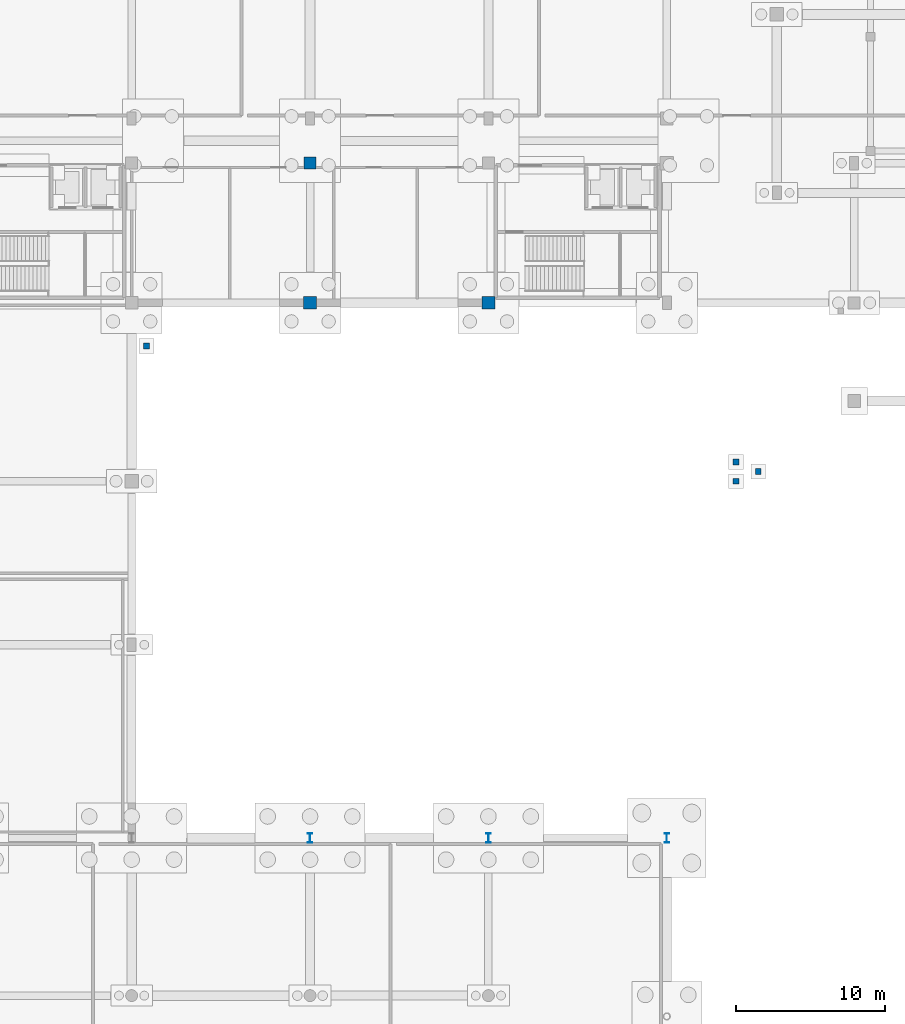
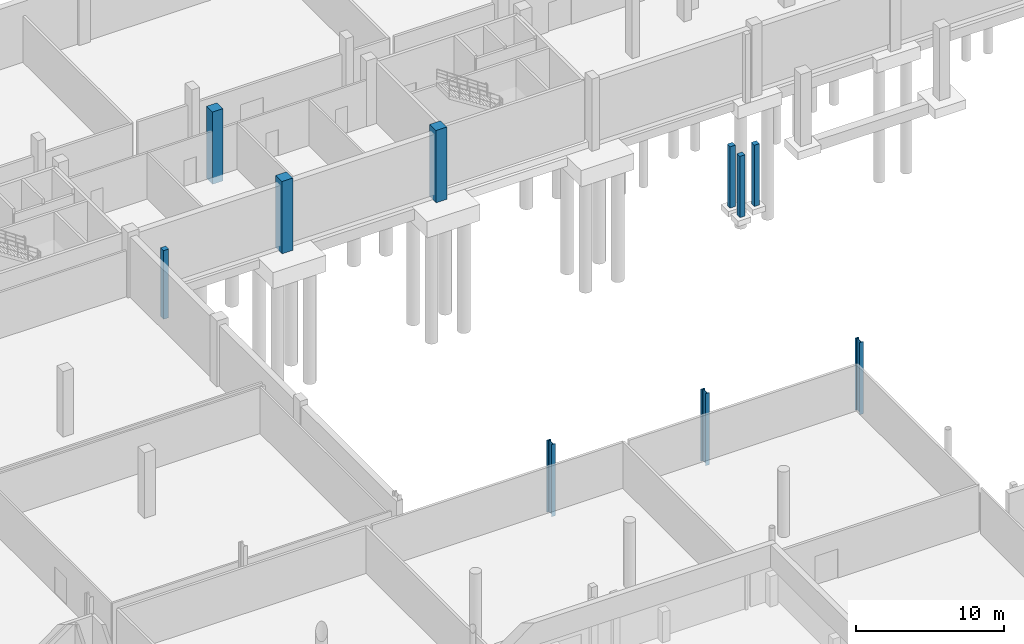
# One storey, part 20 of 42: 10 columns.
"""IFC4 building model written with IfcOpenShell, lengths in metres."""

from ifc_helpers import new_model, si_unit, direction, frame, origin, origin_2d, place, context, subcontext, project, spatial, rectangle, i_section, extrude, material, material_profile, profile_set, type_object, element, save


model = new_model("IFC4")

# Units and contexts
model_context = context("Model", 3, precision=1e-05, world=origin(), true_north=direction((0.0, 1.0)))
body_context = subcontext(model_context, "Body", "Model", "MODEL_VIEW")
ifc_project = project(units=[si_unit("LENGTHUNIT", "METRE"), si_unit("AREAUNIT", "SQUARE_METRE"), si_unit("VOLUMEUNIT", "CUBIC_METRE"), si_unit("PLANEANGLEUNIT", "RADIAN"), si_unit("MASSUNIT", "GRAM", prefix="KILO"), si_unit("THERMODYNAMICTEMPERATUREUNIT", "KELVIN"), si_unit("POWERUNIT", "WATT")], contexts=[model_context])

# Site, building, storey
site_placement = place(None, origin())
site = spatial("IfcSite", under=ifc_project, at=site_placement, CompositionType="ELEMENT")
building_placement = place(site_placement, origin())
building = spatial("IfcBuilding", under=site, at=building_placement, Name="Solmara Park Aquatics Centre", CompositionType="ELEMENT")
storey_placement = place(building_placement, frame((0.0, 0.0, -5.39990234375)))
storey = spatial("IfcBuildingStorey", under=building, at=storey_placement, Name="B1", CompositionType="ELEMENT", Elevation=-5.39990234375)

# Columns
ifc_material_1 = material(Name="Structural Steel S355", Category="steel")
ifc_material_profile_1 = material_profile(ifc_material_1, i_section(OverallWidth=0.300048828125, OverallDepth=0.64990234375, WebThickness=0.01611328125, FlangeThickness=0.031005859375, FilletRadius=0.027099609375, at=origin_2d()), Name="HEB 650")
ifc_profile_set_1 = profile_set([ifc_material_profile_1], Name="Structural Steel S355")
column_type_1 = type_object("IfcColumnType", Name="STR-COL-HEB650", PredefinedType="COLUMN", material=ifc_profile_set_1)
for number, where, z_axis, x_axis, name in (
    (1, (72.60009765625, 72.60009765625, -0.550048828125), (0.0, 0.0, 1.0), (1.0, 0.0, 0.0), "Column B1-0053"),
    (2, (84.60009765625, 72.60009765625, -0.550048828125), (0.0, 0.0, 1.0), (1.0, 0.0, 0.0), "Column B1-0061"),
    (3, (96.60009765625, 72.60009765625, -0.550048828125), (0.0, 0.0, 1.0), (1.0, 0.0, 0.0), "Column B1-0071"),
):
    element("IfcColumn", number, at=place(storey_placement, frame(where, z_axis=z_axis, x_axis=x_axis)), inside=storey, type_object=column_type_1, Name=name, PredefinedType="COLUMN", context=body_context, shape_type="SweptSolid", body=[
        extrude(i_section(OverallWidth=0.300048828125, OverallDepth=0.64990234375, WebThickness=0.01611328125, FlangeThickness=0.031005859375, FilletRadius=0.027099609375, at=origin_2d()), origin(), (0.0, 0.0, 1.0), 5.949951171875),
    ])
ifc_material_2 = material(Name="Concrete C40/50", Category="concrete")
ifc_material_profile_2 = material_profile(ifc_material_2, rectangle(XDim=0.39990234375, YDim=0.39990234375, at=origin_2d()), Name="RC 400x400")
ifc_profile_set_2 = profile_set([ifc_material_profile_2], Name="Concrete C40/50")
column_type_2 = type_object("IfcColumnType", Name="STR-COL-RC400", PredefinedType="COLUMN", material=ifc_profile_set_2)
column_1_placement = place(storey_placement, frame((61.60009765625, 105.699951171875, -0.550048828125), z_axis=(0.0, 0.0, 1.0), x_axis=(1.0, 0.0, 0.0)))
element("IfcColumn", 4, at=column_1_placement, inside=storey, type_object=column_type_2, Name="Apron Foundation Pier SLB-L00-APR-C-1", PredefinedType="COLUMN", context=body_context, shape_type="SweptSolid", body=[
    extrude(rectangle(XDim=0.39990234375, YDim=0.39990234375, at=origin_2d()), origin(), (0.0, 0.0, 1.0), 5.64990234375),
])
for number, where, z_axis, x_axis, name in (
    (5, (101.25, 96.60009765625, -0.550048828125), (0.0, 0.0, 1.0), (1.0, 0.0, 0.0), "Training Pool Hydrotherapy Deck Ramp Foundation Pier 1"),
    (6, (101.25, 97.89990234375, -0.550048828125), (0.0, 0.0, 1.0), (1.0, 0.0, 0.0), "Training Pool Hydrotherapy Deck Ramp Foundation Pier 2"),
    (7, (102.75, 97.25, -0.550048828125), (0.0, 0.0, 1.0), (1.0, 0.0, 0.0), "Training Pool Hydrotherapy Deck Ramp Foundation Pier 3"),
):
    element("IfcColumn", number, at=place(storey_placement, frame(where, z_axis=z_axis, x_axis=x_axis)), inside=storey, type_object=column_type_2, Name=name, PredefinedType="COLUMN", context=body_context, shape_type="SweptSolid", body=[
        extrude(rectangle(XDim=0.39990234375, YDim=0.39990234375, at=origin_2d()), origin(), (0.0, 0.0, 1.0), 5.050048828125),
    ])
ifc_material_profile_3 = material_profile(ifc_material_2, rectangle(XDim=0.800048828125, YDim=0.800048828125, at=origin_2d()), Name="RC 800x800")
ifc_profile_set_3 = profile_set([ifc_material_profile_3], Name="Concrete C40/50")
column_type_3 = type_object("IfcColumnType", Name="STR-COL-RC800", PredefinedType="COLUMN", material=ifc_profile_set_3)
column_2_placement = place(storey_placement, frame((72.60009765625, 118.0, -0.550048828125), z_axis=(0.0, 0.0, 1.0), x_axis=(1.0, 0.0, 0.0)))
element("IfcColumn", 8, at=column_2_placement, inside=storey, type_object=column_type_3, Name="Column B1-0055", PredefinedType="COLUMN", context=body_context, shape_type="SweptSolid", body=[
    extrude(rectangle(XDim=0.800048828125, YDim=0.800048828125, at=origin_2d()), origin(), (0.0, 0.0, 1.0), 5.949951171875),
])
ifc_material_profile_4 = material_profile(ifc_material_2, rectangle(XDim=0.85009765625, YDim=0.85009765625, at=origin_2d()), Name="RC 850x850")
ifc_profile_set_4 = profile_set([ifc_material_profile_4], Name="Concrete C40/50")
column_type_4 = type_object("IfcColumnType", Name="STR-COL-RC850", PredefinedType="COLUMN", material=ifc_profile_set_4)
for number, where, z_axis, x_axis, name in (
    (9, (72.60009765625, 108.60009765625, -0.550048828125), (0.0, 0.0, 1.0), (1.0, 0.0, 0.0), "Column B1-0054"),
    (10, (84.60009765625, 108.60009765625, -0.550048828125), (0.0, 0.0, 1.0), (1.0, 0.0, 0.0), "Column B1-0062"),
):
    element("IfcColumn", number, at=place(storey_placement, frame(where, z_axis=z_axis, x_axis=x_axis)), inside=storey, type_object=column_type_4, Name=name, PredefinedType="COLUMN", context=body_context, shape_type="SweptSolid", body=[
        extrude(rectangle(XDim=0.85009765625, YDim=0.85009765625, at=origin_2d()), origin(), (0.0, 0.0, 1.0), 5.949951171875),
    ])

save(model, "model.ifc")
